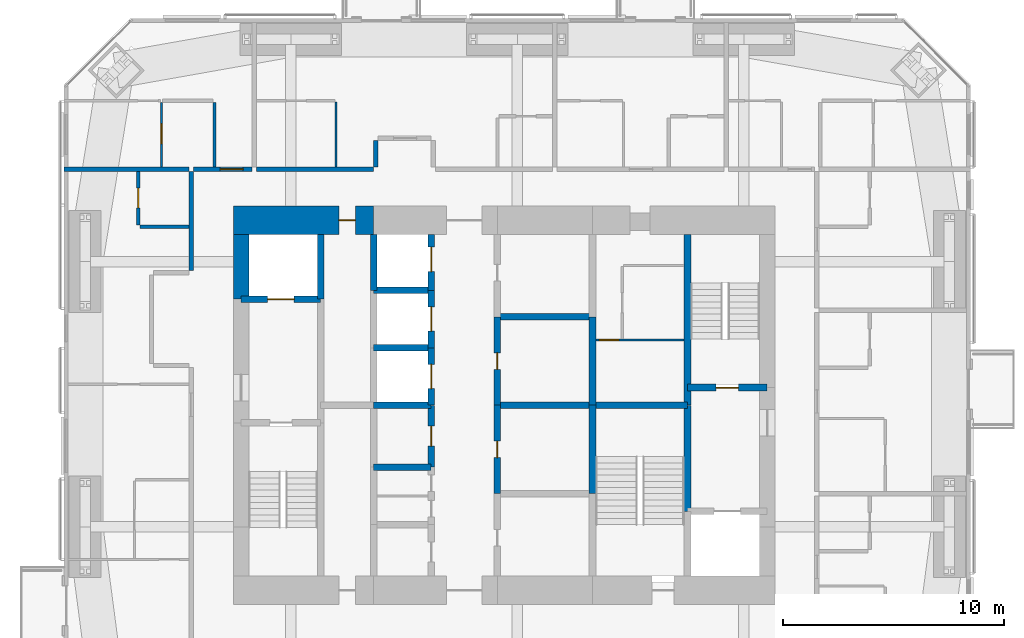
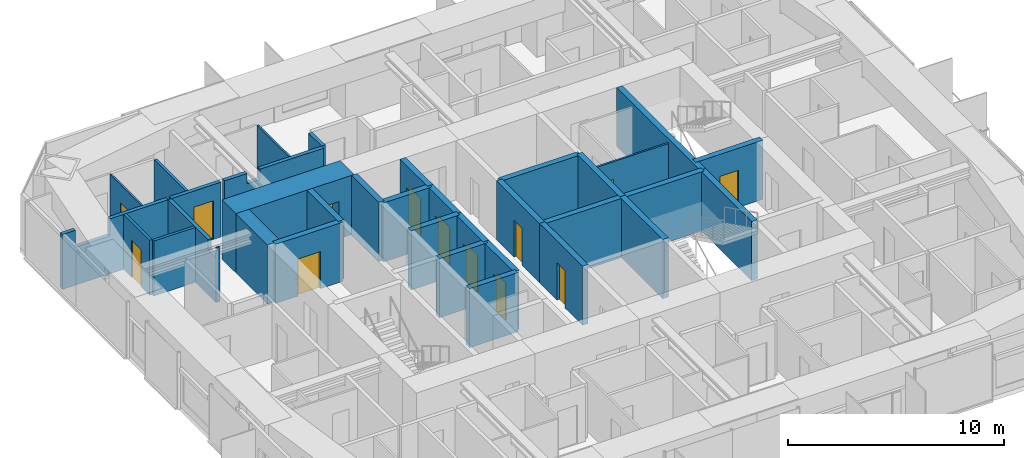
# One storey, part 18 of 23: 34 walls, 13 doors, 13 openings.
"""IFC4 building model written with IfcOpenShell, lengths in metres."""

from ifc_helpers import new_model, si_unit, direction, frame, frame_2d, origin, place, context, subcontext, project, spatial, polyline, rectangle, outline, extrude, material, layer, layer_set, constituent, constituent_set, type_object, element, fill, save


model = new_model("IFC4")

# Units and contexts
model_context = context("Model", 3, precision=1e-05, world=origin(), true_north=direction((0.0, 1.0)))
body_context = subcontext(model_context, "Body", "Model", "MODEL_VIEW")
ifc_project = project(units=[si_unit("LENGTHUNIT", "METRE"), si_unit("AREAUNIT", "SQUARE_METRE"), si_unit("VOLUMEUNIT", "CUBIC_METRE"), si_unit("PLANEANGLEUNIT", "RADIAN"), si_unit("MASSUNIT", "GRAM", prefix="KILO")], contexts=[model_context])

# Site, building, storey
site_placement = place(None, origin())
site = spatial("IfcSite", under=ifc_project, at=site_placement, CompositionType="ELEMENT")
building_placement = place(site_placement, origin())
building = spatial("IfcBuilding", under=site, at=building_placement, Name="Jalousie Tower", CompositionType="ELEMENT")
storey_placement = place(building_placement, frame((0.0, 0.0, 157.699951171875)))
storey = spatial("IfcBuildingStorey", under=building, at=storey_placement, Name="L42", CompositionType="ELEMENT", Elevation=157.699951171875)

# Wall
ifc_material_1 = material(Name="Concrete block ASTM C90", Category="concrete")
ifc_constituent_1 = constituent(ifc_material_1, Name="Body")
ifc_material_2 = material(Name="Render")
ifc_constituent_2 = constituent(ifc_material_2, Name="Finish")
ifc_constituent_set_1 = constituent_set(constituents=[ifc_constituent_1, ifc_constituent_2])
wall_type_1 = type_object("IfcWallType", Name="BATHROOM WALL 150", PredefinedType="PLUMBINGWALL", material=ifc_constituent_set_1)
wall_1_placement = place(storey_placement, frame((18.800048828125, 32.20361328125, 0.0), z_axis=(0.0, 0.0, 1.0), x_axis=(0.0, -1.0, 0.0)))
element("IfcWall", 1, at=wall_1_placement, inside=storey, type_object=wall_type_1, Name="Bathroom Wall 150 L42", PredefinedType="PLUMBINGWALL", context=body_context, shape_type="SweptSolid", body=[
    extrude(rectangle(XDim=2.9287109375, YDim=0.14990234375, at=frame_2d((1.46435546875, 0.0))), origin(), (0.0, 0.0, 1.0), 3.110107421875),
])

# Wall, opening, door
wall_2_placement = place(storey_placement, frame((15.35009765625, 26.64990234375, 0.0), z_axis=(0.0, 0.0, 1.0), x_axis=(0.0, 1.0, 0.0)))
wall_2 = element("IfcWall", 2, at=wall_2_placement, inside=storey, type_object=wall_type_1, Name="Bathroom Wall 150 L42", PredefinedType="PLUMBINGWALL", context=body_context, shape_type="SweptSolid", body=[
    extrude(rectangle(XDim=2.425048828125, YDim=0.14990234375, at=frame_2d((1.21240234375, 0.0))), origin(), (0.0, 0.0, 1.0), 3.110107421875),
])
opening_1_placement = place(wall_2_placement, frame((0.77490234375, 0.0, 0.0)))
opening_1 = element("IfcOpeningElement", 3, at=opening_1_placement, cuts=wall_2, Name="Opening D3", PredefinedType="OPENING", context=body_context, shape_type="SweptSolid", body=[
    extrude(rectangle(XDim=0.89990234375, YDim=2.10009765625, at=frame_2d((0.449951171875, 1.050048828125))), frame((0.0, 0.0849609375, 0.0), z_axis=(0.0, -1.0, 0.0), x_axis=(1.0, 0.0, 0.0)), (0.0, 0.0, 1.0), 0.169921875),
])
ifc_material_3 = material(Name="Timber door", Category="wood")
door_type_1 = type_object("IfcDoorType", Name="BATHROOM DOOR 900", OperationType="SINGLE_SWING_LEFT", PredefinedType="DOOR", material=ifc_material_3)
door_1_placement = place(opening_1_placement, frame((0.89990234375, 0.0, 0.0), z_axis=(0.0, 0.0, 1.0), x_axis=(-1.0, 0.0, 0.0)))
door_1 = element("IfcDoor", 4, at=door_1_placement, inside=storey, type_object=door_type_1, Name="Apartment 4209 bathroom door", OperationType="SINGLE_SWING_LEFT", OverallHeight=2.10009765625, OverallWidth=0.89990234375, PredefinedType="DOOR", context=body_context, shape_type="SweptSolid", body=[
    extrude(rectangle(XDim=0.89990234375, YDim=2.10009765625, at=frame_2d((0.449951171875, 1.050048828125))), frame((0.0, 0.02490234375, 0.0), z_axis=(0.0, -1.0, 0.0), x_axis=(1.0, 0.0, 0.0)), (0.0, 0.0, 1.0), 0.050048828125),
])
fill(opening_1, door_1)

# Wall
wall_3_placement = place(storey_placement, frame((15.425048828125, 26.574951171875, 0.0), z_axis=(0.0, 0.0, 1.0), x_axis=(1.0, 0.0, 0.0)))
element("IfcWall", 5, at=wall_3_placement, inside=storey, type_object=wall_type_1, Name="Bathroom Wall 150 L42", PredefinedType="PLUMBINGWALL", context=body_context, shape_type="SweptSolid", body=[
    extrude(rectangle(XDim=2.224853515625, YDim=0.14990234375, at=frame_2d((1.1123046875, 0.0))), origin(), (0.0, 0.0, 1.0), 3.110107421875),
])

# Wall, opening, door
ifc_material_4 = material(Name="Concrete f'c 120 MPa", Category="concrete")
ifc_layer_1 = layer(ifc_material_4, 1.300048828125)
ifc_layer_set_1 = layer_set([ifc_layer_1], Name="Concrete f'c 120 MPa")
wall_type_2 = type_object("IfcWallType", Name="CORE WALL 1300", PredefinedType="SHEAR", material=ifc_layer_set_1)
wall_4_placement = place(storey_placement, frame((26.0, 26.875, 0.0), z_axis=(0.0, 0.0, 1.0), x_axis=(-1.0, 0.0, 0.0)))
wall_4 = element("IfcWall", 6, at=wall_4_placement, inside=storey, type_object=wall_type_2, Name="Core wall ND L42", PredefinedType="SHEAR", context=body_context, shape_type="SweptSolid", body=[
    extrude(rectangle(XDim=6.35009765625, YDim=1.300048828125, at=frame_2d((3.175048828125, 0.0))), origin(), (0.0, 0.0, 1.0), 3.35009765625),
])
opening_2_placement = place(wall_4_placement, frame((0.824951171875, 0.0, 0.0)))
opening_2 = element("IfcOpeningElement", 7, at=opening_2_placement, cuts=wall_4, Name="Opening D16", PredefinedType="OPENING", context=body_context, shape_type="SweptSolid", body=[
    extrude(rectangle(XDim=0.75, YDim=2.10009765625, at=frame_2d((0.375, 1.050048828125))), frame((0.0, 0.659912109375, 0.0), z_axis=(0.0, -1.0, 0.0), x_axis=(1.0, 0.0, 0.0)), (0.0, 0.0, 1.0), 1.320068359375),
])
ifc_material_5 = material(Name="Steel fire door", Category="steel")
door_type_2 = type_object("IfcDoorType", Name="RISER DOOR 750", OperationType="SINGLE_SWING_LEFT", PredefinedType="DOOR", material=ifc_material_5)
door_2_placement = place(opening_2_placement, origin())
door_2 = element("IfcDoor", 8, at=door_2_placement, inside=storey, type_object=door_type_2, Name="North riser door", OperationType="SINGLE_SWING_RIGHT", OverallHeight=2.10009765625, OverallWidth=0.75, PredefinedType="DOOR", context=body_context, shape_type="SweptSolid", body=[
    extrude(rectangle(XDim=0.75, YDim=2.10009765625, at=frame_2d((0.375, 1.050048828125))), frame((0.0, 0.02490234375, 0.0), z_axis=(0.0, -1.0, 0.0), x_axis=(1.0, 0.0, 0.0)), (0.0, 0.0, 1.0), 0.050048828125),
])
fill(opening_2, door_2)

# Walls
ifc_material_6 = material(Name="Concrete f'c 120 MPa", Category="concrete")
ifc_layer_2 = layer(ifc_material_6, 0.300048828125)
ifc_layer_set_2 = layer_set([ifc_layer_2], Name="Concrete f'c 120 MPa")
wall_type_3 = type_object("IfcWallType", Name="CORE WALL 300", PredefinedType="SHEAR", material=ifc_layer_set_2)
wall_5_placement = place(storey_placement, frame((23.60009765625, 23.300048828125, 0.0), z_axis=(0.0, 0.0, 1.0), x_axis=(0.0, 1.0, 0.0)))
element("IfcWall", 9, at=wall_5_placement, inside=storey, type_object=wall_type_3, Name="Core wall X23.6C L42", PredefinedType="SHEAR", context=body_context, shape_type="SweptSolid", body=[
    extrude(rectangle(XDim=2.925048828125, YDim=0.300048828125, at=frame_2d((1.46240234375, 0.0))), origin(), (0.0, 0.0, 1.0), 3.35009765625),
])
wall_6_placement = place(storey_placement, frame((26.0, 23.699951171875, 0.0), z_axis=(0.0, 0.0, 1.0), x_axis=(0.0, 1.0, 0.0)))
element("IfcWall", 10, at=wall_6_placement, inside=storey, type_object=wall_type_3, Name="Core wall X26F L42", PredefinedType="SHEAR", context=body_context, shape_type="SweptSolid", body=[
    extrude(rectangle(XDim=2.525146484375, YDim=0.300048828125, at=frame_2d((1.2626953125, 0.0))), origin(), (0.0, 0.0, 1.0), 3.35009765625),
])

# Wall, opening, door
wall_7_placement = place(storey_placement, frame((28.60009765625, 15.699951171875, 0.0), z_axis=(0.0, 0.0, 1.0), x_axis=(0.0, 1.0, 0.0)))
wall_7 = element("IfcWall", 11, at=wall_7_placement, inside=storey, type_object=wall_type_3, Name="Core wall X28.6C L42", PredefinedType="SHEAR", context=body_context, shape_type="SweptSolid", body=[
    extrude(rectangle(XDim=2.800048828125, YDim=0.300048828125, at=frame_2d((1.39990234375, 0.0))), origin(), (0.0, 0.0, 1.0), 3.35009765625),
])
opening_3_placement = place(wall_7_placement, frame((0.949951171875, 0.0, 0.0)))
opening_3 = element("IfcOpeningElement", 12, at=opening_3_placement, cuts=wall_7, Name="Opening D24", PredefinedType="OPENING", context=body_context, shape_type="SweptSolid", body=[
    extrude(rectangle(XDim=0.89990234375, YDim=2.10009765625, at=frame_2d((0.449951171875, 1.050048828125))), frame((0.0, 0.159912109375, 0.0), z_axis=(0.0, -1.0, 0.0), x_axis=(1.0, 0.0, 0.0)), (0.0, 0.0, 1.0), 0.320068359375),
])
ifc_material_7 = material(Name="Steel fire door", Category="steel")
door_type_3 = type_object("IfcDoorType", Name="CORE ROOM DOOR 900", OperationType="SINGLE_SWING_LEFT", PredefinedType="DOOR", material=ifc_material_7)
door_3_placement = place(opening_3_placement, origin())
door_3 = element("IfcDoor", 13, at=door_3_placement, inside=storey, type_object=door_type_3, Name="IT room door", OperationType="SINGLE_SWING_LEFT", OverallHeight=2.10009765625, OverallWidth=0.89990234375, PredefinedType="DOOR", context=body_context, shape_type="SweptSolid", body=[
    extrude(rectangle(XDim=0.89990234375, YDim=2.10009765625, at=frame_2d((0.449951171875, 1.050048828125))), frame((0.0, 0.02490234375, 0.0), z_axis=(0.0, -1.0, 0.0), x_axis=(1.0, 0.0, 0.0)), (0.0, 0.0, 1.0), 0.050048828125),
])
fill(opening_3, door_3)

wall_8_placement = place(storey_placement, frame((28.60009765625, 18.5, 0.0), z_axis=(0.0, 0.0, 1.0), x_axis=(0.0, 1.0, 0.0)))
wall_8 = element("IfcWall", 14, at=wall_8_placement, inside=storey, type_object=wall_type_3, Name="Core wall X28.6D L42", PredefinedType="SHEAR", context=body_context, shape_type="SweptSolid", body=[
    extrude(rectangle(XDim=2.60009765625, YDim=0.300048828125, at=frame_2d((1.300048828125, 0.0))), origin(), (0.0, 0.0, 1.0), 3.35009765625),
])
opening_4_placement = place(wall_8_placement, frame((0.75, 0.0, 0.0)))
opening_4 = element("IfcOpeningElement", 15, at=opening_4_placement, cuts=wall_8, Name="Opening LD1", PredefinedType="OPENING", context=body_context, shape_type="SweptSolid", body=[
    extrude(rectangle(XDim=1.10009765625, YDim=2.10009765625, at=frame_2d((0.550048828125, 1.050048828125))), frame((0.0, 0.159912109375, 0.0), z_axis=(0.0, -1.0, 0.0), x_axis=(1.0, 0.0, 0.0)), (0.0, 0.0, 1.0), 0.320068359375),
])
ifc_material_8 = material(Name="Steel lift landing door", Category="steel")
door_type_4 = type_object("IfcDoorType", Name="LIFT LANDING DOOR 1100", OperationType="SLIDING_TO_LEFT", PredefinedType="DOOR", material=ifc_material_8)
door_4_placement = place(opening_4_placement, origin())
door_4 = element("IfcDoor", 16, at=door_4_placement, inside=storey, type_object=door_type_4, Name="Lift P4 landing door", OperationType="SLIDING_TO_LEFT", OverallHeight=2.10009765625, OverallWidth=1.10009765625, PredefinedType="DOOR", context=body_context, shape_type="SweptSolid", body=[
    extrude(rectangle(XDim=1.10009765625, YDim=2.10009765625, at=frame_2d((0.550048828125, 1.050048828125))), frame((0.0, 0.02490234375, 0.0), z_axis=(0.0, -1.0, 0.0), x_axis=(1.0, 0.0, 0.0)), (0.0, 0.0, 1.0), 0.050048828125),
])
fill(opening_4, door_4)

wall_9_placement = place(storey_placement, frame((28.60009765625, 21.10009765625, 0.0), z_axis=(0.0, 0.0, 1.0), x_axis=(0.0, 1.0, 0.0)))
wall_9 = element("IfcWall", 17, at=wall_9_placement, inside=storey, type_object=wall_type_3, Name="Core wall X28.6E L42", PredefinedType="SHEAR", context=body_context, shape_type="SweptSolid", body=[
    extrude(rectangle(XDim=2.599853515625, YDim=0.300048828125, at=frame_2d((1.2998046875, 0.0))), origin(), (0.0, 0.0, 1.0), 3.35009765625),
])
opening_5_placement = place(wall_9_placement, frame((0.75, 0.0, 0.0)))
opening_5 = element("IfcOpeningElement", 18, at=opening_5_placement, cuts=wall_9, Name="Opening LD1", PredefinedType="OPENING", context=body_context, shape_type="SweptSolid", body=[
    extrude(rectangle(XDim=1.10009765625, YDim=2.10009765625, at=frame_2d((0.550048828125, 1.050048828125))), frame((0.0, 0.159912109375, 0.0), z_axis=(0.0, -1.0, 0.0), x_axis=(1.0, 0.0, 0.0)), (0.0, 0.0, 1.0), 0.320068359375),
])
door_5_placement = place(opening_5_placement, origin())
door_5 = element("IfcDoor", 19, at=door_5_placement, inside=storey, type_object=door_type_4, Name="Lift P5 landing door", OperationType="SLIDING_TO_LEFT", OverallHeight=2.10009765625, OverallWidth=1.10009765625, PredefinedType="DOOR", context=body_context, shape_type="SweptSolid", body=[
    extrude(rectangle(XDim=1.10009765625, YDim=2.10009765625, at=frame_2d((0.550048828125, 1.050048828125))), frame((0.0, 0.02490234375, 0.0), z_axis=(0.0, -1.0, 0.0), x_axis=(1.0, 0.0, 0.0)), (0.0, 0.0, 1.0), 0.050048828125),
])
fill(opening_5, door_5)

wall_10_placement = place(storey_placement, frame((28.60009765625, 23.699951171875, 0.0), z_axis=(0.0, 0.0, 1.0), x_axis=(0.0, 1.0, 0.0)))
wall_10 = element("IfcWall", 20, at=wall_10_placement, inside=storey, type_object=wall_type_3, Name="Core wall X28.6F L42", PredefinedType="SHEAR", context=body_context, shape_type="SweptSolid", body=[
    extrude(rectangle(XDim=2.525146484375, YDim=0.300048828125, at=frame_2d((1.2626953125, 0.0))), origin(), (0.0, 0.0, 1.0), 3.35009765625),
])
opening_6_placement = place(wall_10_placement, frame((0.85009765625, 0.0, 0.0)))
opening_6 = element("IfcOpeningElement", 21, at=opening_6_placement, cuts=wall_10, Name="Opening LD1", PredefinedType="OPENING", context=body_context, shape_type="SweptSolid", body=[
    extrude(rectangle(XDim=1.10009765625, YDim=2.10009765625, at=frame_2d((0.550048828125, 1.050048828125))), frame((0.0, 0.159912109375, 0.0), z_axis=(0.0, -1.0, 0.0), x_axis=(1.0, 0.0, 0.0)), (0.0, 0.0, 1.0), 0.320068359375),
])
door_6_placement = place(opening_6_placement, origin())
door_6 = element("IfcDoor", 22, at=door_6_placement, inside=storey, type_object=door_type_4, Name="Lift P6 landing door", OperationType="SLIDING_TO_LEFT", OverallHeight=2.10009765625, OverallWidth=1.10009765625, PredefinedType="DOOR", context=body_context, shape_type="SweptSolid", body=[
    extrude(rectangle(XDim=1.10009765625, YDim=2.10009765625, at=frame_2d((0.550048828125, 1.050048828125))), frame((0.0, 0.02490234375, 0.0), z_axis=(0.0, -1.0, 0.0), x_axis=(1.0, 0.0, 0.0)), (0.0, 0.0, 1.0), 0.050048828125),
])
fill(opening_6, door_6)

wall_11_placement = place(storey_placement, frame((31.60009765625, 14.5, 0.0), z_axis=(0.0, 0.0, 1.0), x_axis=(0.0, 1.0, 0.0)))
wall_11 = element("IfcWall", 23, at=wall_11_placement, inside=storey, type_object=wall_type_3, Name="Core wall X31.6B L42", PredefinedType="SHEAR", context=body_context, shape_type="SweptSolid", body=[
    extrude(rectangle(XDim=4.0, YDim=0.300048828125, at=frame_2d((2.0, 0.0))), origin(), (0.0, 0.0, 1.0), 3.35009765625),
])
opening_7_placement = place(wall_11_placement, frame((1.625, 0.0, 0.0)))
opening_7 = element("IfcOpeningElement", 24, at=opening_7_placement, cuts=wall_11, Name="Opening D16", PredefinedType="OPENING", context=body_context, shape_type="SweptSolid", body=[
    extrude(rectangle(XDim=0.75, YDim=2.10009765625, at=frame_2d((0.375, 1.050048828125))), frame((0.0, 0.159912109375, 0.0), z_axis=(0.0, -1.0, 0.0), x_axis=(1.0, 0.0, 0.0)), (0.0, 0.0, 1.0), 0.320068359375),
])
door_7_placement = place(opening_7_placement, frame((0.75, 0.0, 0.0), z_axis=(0.0, 0.0, 1.0), x_axis=(-1.0, 0.0, 0.0)))
door_7 = element("IfcDoor", 25, at=door_7_placement, inside=storey, type_object=door_type_2, Name="Electrical Room door", OperationType="SINGLE_SWING_RIGHT", OverallHeight=2.10009765625, OverallWidth=0.75, PredefinedType="DOOR", context=body_context, shape_type="SweptSolid", body=[
    extrude(rectangle(XDim=0.75, YDim=2.10009765625, at=frame_2d((0.375, 1.050048828125))), frame((0.0, 0.02490234375, 0.0), z_axis=(0.0, -1.0, 0.0), x_axis=(1.0, 0.0, 0.0)), (0.0, 0.0, 1.0), 0.050048828125),
])
fill(opening_7, door_7)

wall_12_placement = place(storey_placement, frame((31.60009765625, 18.5, 0.0), z_axis=(0.0, 0.0, 1.0), x_axis=(0.0, 1.0, 0.0)))
wall_12 = element("IfcWall", 26, at=wall_12_placement, inside=storey, type_object=wall_type_3, Name="Core wall X31.6C L42", PredefinedType="SHEAR", context=body_context, shape_type="SweptSolid", body=[
    extrude(rectangle(XDim=4.0, YDim=0.300048828125, at=frame_2d((2.0, 0.0))), origin(), (0.0, 0.0, 1.0), 3.35009765625),
])
opening_8_placement = place(wall_12_placement, frame((1.625, 0.0, 0.0)))
opening_8 = element("IfcOpeningElement", 27, at=opening_8_placement, cuts=wall_12, Name="Opening D16", PredefinedType="OPENING", context=body_context, shape_type="SweptSolid", body=[
    extrude(rectangle(XDim=0.75, YDim=2.10009765625, at=frame_2d((0.375, 1.050048828125))), frame((0.0, 0.159912109375, 0.0), z_axis=(0.0, -1.0, 0.0), x_axis=(1.0, 0.0, 0.0)), (0.0, 0.0, 1.0), 0.320068359375),
])
door_8_placement = place(opening_8_placement, frame((0.75, 0.0, 0.0), z_axis=(0.0, 0.0, 1.0), x_axis=(-1.0, 0.0, 0.0)))
door_8 = element("IfcDoor", 28, at=door_8_placement, inside=storey, type_object=door_type_2, Name="Telecom Room door", OperationType="SINGLE_SWING_RIGHT", OverallHeight=2.10009765625, OverallWidth=0.75, PredefinedType="DOOR", context=body_context, shape_type="SweptSolid", body=[
    extrude(rectangle(XDim=0.75, YDim=2.10009765625, at=frame_2d((0.375, 1.050048828125))), frame((0.0, 0.02490234375, 0.0), z_axis=(0.0, -1.0, 0.0), x_axis=(1.0, 0.0, 0.0)), (0.0, 0.0, 1.0), 0.050048828125),
])
fill(opening_8, door_8)

# Walls
for number, where, z_axis, x_axis, name in (
    (29, (35.89990234375, 14.5, 0.0), (0.0, 0.0, 1.0), (0.0, 1.0, 0.0), "Core wall X35.9B L42"),
    (30, (35.89990234375, 18.5, 0.0), (0.0, 0.0, 1.0), (0.0, 1.0, 0.0), "Core wall X35.9C L42"),
):
    element("IfcWall", number, at=place(storey_placement, frame(where, z_axis=z_axis, x_axis=x_axis)), inside=storey, type_object=wall_type_3, Name=name, PredefinedType="SHEAR", context=body_context, shape_type="SweptSolid", body=[
        extrude(rectangle(XDim=4.0, YDim=0.300048828125, at=frame_2d((2.0, 0.0))), origin(), (0.0, 0.0, 1.0), 3.35009765625),
    ])
wall_13_placement = place(storey_placement, frame((40.199951171875, 13.699951171875, 0.0), z_axis=(0.0, 0.0, 1.0), x_axis=(0.0, 1.0, 0.0)))
element("IfcWall", 31, at=wall_13_placement, inside=storey, type_object=wall_type_3, Name="Core wall X40.2B L42", PredefinedType="SHEAR", context=body_context, shape_type="SweptSolid", body=[
    extrude(rectangle(XDim=4.800048828125, YDim=0.300048828125, at=frame_2d((2.39990234375, 0.0))), origin(), (0.0, 0.0, 1.0), 3.35009765625),
])
wall_14_placement = place(storey_placement, frame((40.199951171875, 18.5, 0.0), z_axis=(0.0, 0.0, 1.0), x_axis=(0.0, 1.0, 0.0)))
element("IfcWall", 32, at=wall_14_placement, inside=storey, type_object=wall_type_3, Name="Core wall X40.2C L42", PredefinedType="SHEAR", context=body_context, shape_type="SweptSolid", body=[
    extrude(rectangle(XDim=7.72509765625, YDim=0.300048828125, at=frame_2d((3.862548828125, 0.0))), origin(), (0.0, 0.0, 1.0), 3.35009765625),
])

# Wall, opening, door
wall_15_placement = place(storey_placement, frame((20.0, 23.300048828125, 0.0), z_axis=(0.0, 0.0, 1.0), x_axis=(1.0, 0.0, 0.0)))
wall_15 = element("IfcWall", 33, at=wall_15_placement, inside=storey, type_object=wall_type_3, Name="Core wall Y20-23.3 L42", PredefinedType="SHEAR", context=body_context, shape_type="SweptSolid", body=[
    extrude(rectangle(XDim=3.60009765625, YDim=0.300048828125, at=frame_2d((1.800048828125, 0.0))), origin(), (0.0, 0.0, 1.0), 3.35009765625),
])
opening_9_placement = place(wall_15_placement, frame((1.199951171875, 0.0, 0.0)))
opening_9 = element("IfcOpeningElement", 34, at=opening_9_placement, cuts=wall_15, Name="Opening LD2", PredefinedType="OPENING", context=body_context, shape_type="SweptSolid", body=[
    extrude(rectangle(XDim=1.199951171875, YDim=2.10009765625, at=frame_2d((0.60009765625, 1.050048828125))), frame((0.0, 0.159912109375, 0.0), z_axis=(0.0, -1.0, 0.0), x_axis=(1.0, 0.0, 0.0)), (0.0, 0.0, 1.0), 0.320068359375),
])
ifc_material_9 = material(Name="Steel lift landing door", Category="steel")
door_type_5 = type_object("IfcDoorType", Name="LIFT LANDING DOOR 1200", OperationType="SLIDING_TO_LEFT", PredefinedType="DOOR", material=ifc_material_9)
door_9_placement = place(opening_9_placement, origin())
door_9 = element("IfcDoor", 35, at=door_9_placement, inside=storey, type_object=door_type_5, Name="Lift F1 landing door", OperationType="SLIDING_TO_LEFT", OverallHeight=2.10009765625, OverallWidth=1.199951171875, PredefinedType="DOOR", context=body_context, shape_type="SweptSolid", body=[
    extrude(rectangle(XDim=1.199951171875, YDim=2.10009765625, at=frame_2d((0.60009765625, 1.050048828125))), frame((0.0, 0.02490234375, 0.0), z_axis=(0.0, -1.0, 0.0), x_axis=(1.0, 0.0, 0.0)), (0.0, 0.0, 1.0), 0.050048828125),
])
fill(opening_9, door_9)

# Walls
for number, where, z_axis, x_axis, name in (
    (36, (26.0, 15.699951171875, 0.0), (0.0, 0.0, 1.0), (1.0, 0.0, 0.0), "Core wall Y26-15.7 L42"),
    (37, (26.0, 18.5, 0.0), (0.0, 0.0, 1.0), (1.0, 0.0, 0.0), "Core wall Y26-18.5 L42"),
    (38, (26.0, 21.10009765625, 0.0), (0.0, 0.0, 1.0), (1.0, 0.0, 0.0), "Core wall Y26-21.1 L42"),
    (39, (26.0, 23.699951171875, 0.0), (0.0, 0.0, 1.0), (1.0, 0.0, 0.0), "Core wall Y26-23.7 L42"),
):
    element("IfcWall", number, at=place(storey_placement, frame(where, z_axis=z_axis, x_axis=x_axis)), inside=storey, type_object=wall_type_3, Name=name, PredefinedType="SHEAR", context=body_context, shape_type="SweptSolid", body=[
        extrude(rectangle(XDim=2.60009765625, YDim=0.300048828125, at=frame_2d((1.300048828125, 0.0))), origin(), (0.0, 0.0, 1.0), 3.35009765625),
    ])
for number, where, z_axis, x_axis, name in (
    (40, (31.60009765625, 18.5, 0.0), (0.0, 0.0, 1.0), (1.0, 0.0, 0.0), "Core wall Y31.6-18.5 L42"),
    (41, (31.60009765625, 22.5, 0.0), (0.0, 0.0, 1.0), (1.0, 0.0, 0.0), "Core wall Y31.6-22.5 L42"),
):
    element("IfcWall", number, at=place(storey_placement, frame(where, z_axis=z_axis, x_axis=x_axis)), inside=storey, type_object=wall_type_3, Name=name, PredefinedType="SHEAR", context=body_context, shape_type="SweptSolid", body=[
        extrude(rectangle(XDim=4.2998046875, YDim=0.300048828125, at=frame_2d((2.14990234375, 0.0))), origin(), (0.0, 0.0, 1.0), 3.35009765625),
    ])
wall_16_placement = place(storey_placement, frame((35.89990234375, 18.5, 0.0), z_axis=(0.0, 0.0, 1.0), x_axis=(1.0, 0.0, 0.0)))
element("IfcWall", 42, at=wall_16_placement, inside=storey, type_object=wall_type_3, Name="Core wall Y35.9-18.5 L42", PredefinedType="SHEAR", context=body_context, shape_type="SweptSolid", body=[
    extrude(rectangle(XDim=4.300048828125, YDim=0.300048828125, at=frame_2d((2.14990234375, 0.0))), origin(), (0.0, 0.0, 1.0), 3.35009765625),
])

# Wall, opening, door
wall_17_placement = place(storey_placement, frame((40.199951171875, 19.300048828125, 0.0), z_axis=(0.0, 0.0, 1.0), x_axis=(1.0, 0.0, 0.0)))
wall_17 = element("IfcWall", 43, at=wall_17_placement, inside=storey, type_object=wall_type_3, Name="Core wall Y40.2-19.3 L42", PredefinedType="SHEAR", context=body_context, shape_type="SweptSolid", body=[
    extrude(rectangle(XDim=3.60009765625, YDim=0.300048828125, at=frame_2d((1.800048828125, 0.0))), origin(), (0.0, 0.0, 1.0), 3.35009765625),
])
opening_10_placement = place(wall_17_placement, frame((1.300048828125, 0.0, 0.0)))
opening_10 = element("IfcOpeningElement", 44, at=opening_10_placement, cuts=wall_17, Name="Opening D10", PredefinedType="OPENING", context=body_context, shape_type="SweptSolid", body=[
    extrude(rectangle(XDim=1.0, YDim=2.10009765625, at=frame_2d((0.5, 1.050048828125))), frame((0.0, 0.159912109375, 0.0), z_axis=(0.0, -1.0, 0.0), x_axis=(1.0, 0.0, 0.0)), (0.0, 0.0, 1.0), 0.320068359375),
])
ifc_material_10 = material(Name="Steel fire door", Category="steel")
door_type_6 = type_object("IfcDoorType", Name="STAIR DOOR 1000", OperationType="SINGLE_SWING_LEFT", PredefinedType="DOOR", material=ifc_material_10)
door_10_placement = place(opening_10_placement, origin())
door_10 = element("IfcDoor", 45, at=door_10_placement, inside=storey, type_object=door_type_6, Name="Exit stair B door", OperationType="SINGLE_SWING_RIGHT", OverallHeight=2.10009765625, OverallWidth=1.0, PredefinedType="DOOR", context=body_context, shape_type="SweptSolid", body=[
    extrude(rectangle(XDim=1.0, YDim=2.10009765625, at=frame_2d((0.5, 1.050048828125))), frame((0.0, 0.02490234375, 0.0), z_axis=(0.0, -1.0, 0.0), x_axis=(1.0, 0.0, 0.0)), (0.0, 0.0, 1.0), 0.050048828125),
])
fill(opening_10, door_10)

# Wall
ifc_material_11 = material(Name="Concrete f'c 120 MPa", Category="concrete")
ifc_layer_3 = layer(ifc_material_11, 0.699951171875)
ifc_layer_set_3 = layer_set([ifc_layer_3], Name="Concrete f'c 120 MPa")
wall_type_4 = type_object("IfcWallType", Name="CORE WALL 700", PredefinedType="SHEAR", material=ifc_layer_set_3)
wall_18_placement = place(storey_placement, frame((20.0, 26.22509765625, 0.0), z_axis=(0.0, 0.0, 1.0), x_axis=(0.0, -1.0, 0.0)))
element("IfcWall", 46, at=wall_18_placement, inside=storey, type_object=wall_type_4, Name="Core wall WA L42", PredefinedType="SHEAR", context=body_context, shape_type="SweptSolid", body=[
    extrude(rectangle(XDim=2.925048828125, YDim=0.699951171875, at=frame_2d((1.46240234375, 0.0))), origin(), (0.0, 0.0, 1.0), 3.35009765625),
])

# Wall, opening, door
ifc_material_12 = material(Name="Concrete block ASTM C90", Category="concrete")
ifc_constituent_3 = constituent(ifc_material_12, Name="Body")
ifc_material_13 = material(Name="Render")
ifc_constituent_4 = constituent(ifc_material_13, Name="Finish")
ifc_constituent_set_2 = constituent_set(constituents=[ifc_constituent_3, ifc_constituent_4])
wall_type_5 = type_object("IfcWallType", Name="CORRIDOR WALL 200", PredefinedType="PARTITIONING", material=ifc_constituent_set_2)
wall_19_placement = place(storey_placement, frame((17.85009765625, 29.175048828125, 0.0), z_axis=(0.0, 0.0, 1.0), x_axis=(1.0, 0.0, 0.0)))
wall_19 = element("IfcWall", 47, at=wall_19_placement, inside=storey, type_object=wall_type_5, Name="Corridor Wall 200 L42", PredefinedType="PARTITIONING", context=body_context, shape_type="SweptSolid", body=[
    extrude(rectangle(XDim=2.64990234375, YDim=0.199951171875, at=frame_2d((1.324951171875, 0.0))), origin(), (0.0, 0.0, 1.0), 3.110107421875),
])
opening_11_placement = place(wall_19_placement, frame((1.199951171875, 0.0, 0.0)))
opening_11 = element("IfcOpeningElement", 48, at=opening_11_placement, cuts=wall_19, Name="Opening D1", PredefinedType="OPENING", context=body_context, shape_type="SweptSolid", body=[
    extrude(rectangle(XDim=1.050048828125, YDim=2.199951171875, at=frame_2d((0.52490234375, 1.10009765625))), frame((0.0, 0.10986328125, 0.0), z_axis=(0.0, -1.0, 0.0), x_axis=(1.0, 0.0, 0.0)), (0.0, 0.0, 1.0), 0.219970703125),
])
ifc_material_14 = material(Name="Timber fire door", Category="wood")
door_type_7 = type_object("IfcDoorType", Name="APARTMENT ENTRANCE DOOR 1050", OperationType="SINGLE_SWING_LEFT", PredefinedType="DOOR", material=ifc_material_14)
door_11_placement = place(opening_11_placement, origin())
door_11 = element("IfcDoor", 49, at=door_11_placement, inside=storey, type_object=door_type_7, Name="Apartment 4205 entrance", OperationType="SINGLE_SWING_LEFT", OverallHeight=2.199951171875, OverallWidth=1.050048828125, PredefinedType="DOOR", context=body_context, shape_type="SweptSolid", body=[
    extrude(rectangle(XDim=1.050048828125, YDim=2.199951171875, at=frame_2d((0.52490234375, 1.10009765625))), frame((0.0, 0.02490234375, 0.0), z_axis=(0.0, -1.0, 0.0), x_axis=(1.0, 0.0, 0.0)), (0.0, 0.0, 1.0), 0.050048828125),
])
fill(opening_11, door_11)

# Walls
wall_20_placement = place(storey_placement, frame((20.699951171875, 29.175048828125, 0.0), z_axis=(0.0, 0.0, 1.0), x_axis=(1.0, 0.0, 0.0)))
element("IfcWall", 50, at=wall_20_placement, inside=storey, type_object=wall_type_5, Name="Corridor Wall 200 L42", PredefinedType="PARTITIONING", context=body_context, shape_type="SweptSolid", body=[
    extrude(outline(polyline([(0.0, 0.0), (5.300048828125, 0.0), (5.300048828125, 3.110107421875), (1.896240234375, 3.110107421875), (1.896240234375, 2.531005859375), (1.203857421875, 2.531005859375), (1.203857421875, 3.110107421875), (0.0, 3.110107421875), (0.0, 0.0)])), frame((0.0, 0.10009765625, 0.0), z_axis=(0.0, -1.0, 0.0), x_axis=(1.0, 0.0, 0.0)), (0.0, 0.0, 1.0), 0.199951171875),
])
wall_21_placement = place(storey_placement, frame((26.10009765625, 29.27490234375, 0.0), z_axis=(0.0, 0.0, 1.0), x_axis=(0.0, 1.0, 0.0)))
element("IfcWall", 51, at=wall_21_placement, inside=storey, type_object=wall_type_5, Name="Corridor Wall 200 L42", PredefinedType="PARTITIONING", context=body_context, shape_type="SweptSolid", body=[
    extrude(rectangle(XDim=1.2001953125, YDim=0.199951171875, at=frame_2d((0.60009765625, 0.0))), origin(), (0.0, 0.0, 1.0), 3.110107421875),
])
wall_22_placement = place(storey_placement, frame((17.75, 24.60009765625, 0.0), z_axis=(0.0, 0.0, 1.0), x_axis=(0.0, 1.0, 0.0)))
element("IfcWall", 52, at=wall_22_placement, inside=storey, type_object=wall_type_5, Name="Corridor Wall 200 L42", PredefinedType="PARTITIONING", context=body_context, shape_type="SweptSolid", body=[
    extrude(outline(polyline([(0.0, 0.0), (4.474853515625, 0.0), (4.47509765625, 3.110107421875), (0.74609375, 3.110107421875), (0.74609375, 2.531005859375), (0.0537109375, 2.531005859375), (0.0537109375, 3.110107421875), (0.0, 3.110107421875), (0.0, 0.0)])), frame((0.0, 0.10009765625, 0.0), z_axis=(0.0, -1.0, 0.0), x_axis=(1.0, 0.0, 0.0)), (0.0, 0.0, 1.0), 0.199951171875),
])

# Wall, opening, door
ifc_material_15 = material(Name="Gypsum board", Category="gypsum")
ifc_constituent_5 = constituent(ifc_material_15, Name="Body")
ifc_material_16 = material(Name="Light-gauge steel studs ASTM A653 SS Grade 33", Category="steel")
ifc_constituent_6 = constituent(ifc_material_16, Name="Framing")
ifc_constituent_set_3 = constituent_set(constituents=[ifc_constituent_5, ifc_constituent_6])
wall_type_6 = type_object("IfcWallType", Name="PARTITION 100", PredefinedType="PARTITIONING", material=ifc_constituent_set_3)
wall_23_placement = place(storey_placement, frame((16.39990234375, 32.20361328125, 0.0), z_axis=(0.0, 0.0, 1.0), x_axis=(0.0, -1.0, 0.0)))
wall_23 = element("IfcWall", 53, at=wall_23_placement, inside=storey, type_object=wall_type_6, Name="Partition 100 L42", PredefinedType="PARTITIONING", context=body_context, shape_type="SweptSolid", body=[
    extrude(rectangle(XDim=2.9287109375, YDim=0.10009765625, at=frame_2d((1.46435546875, 0.0))), origin(), (0.0, 0.0, 1.0), 3.110107421875),
])
opening_12_placement = place(wall_23_placement, frame((0.976806640625, 0.0, 0.0)))
opening_12 = element("IfcOpeningElement", 54, at=opening_12_placement, cuts=wall_23, Name="Opening D3", PredefinedType="OPENING", context=body_context, shape_type="SweptSolid", body=[
    extrude(rectangle(XDim=0.89990234375, YDim=2.10009765625, at=frame_2d((0.449951171875, 1.050048828125))), frame((0.0, 0.06005859375, 0.0), z_axis=(0.0, -1.0, 0.0), x_axis=(1.0, 0.0, 0.0)), (0.0, 0.0, 1.0), 0.1201171875),
])
door_12_placement = place(opening_12_placement, origin())
door_12 = element("IfcDoor", 55, at=door_12_placement, inside=storey, type_object=door_type_1, Name="Apartment 4205 bedroom 1 bathroom door", OperationType="SINGLE_SWING_LEFT", OverallHeight=2.10009765625, OverallWidth=0.89990234375, PredefinedType="DOOR", context=body_context, shape_type="SweptSolid", body=[
    extrude(rectangle(XDim=0.89990234375, YDim=2.10009765625, at=frame_2d((0.449951171875, 1.050048828125))), frame((0.0, 0.02490234375, 0.0), z_axis=(0.0, -1.0, 0.0), x_axis=(1.0, 0.0, 0.0)), (0.0, 0.0, 1.0), 0.050048828125),
])
fill(opening_12, door_12)

# Wall
wall_24_placement = place(storey_placement, frame((24.300048828125, 32.22509765625, 0.0), z_axis=(0.0, 0.0, 1.0), x_axis=(0.0, -1.0, 0.0)))
element("IfcWall", 56, at=wall_24_placement, inside=storey, type_object=wall_type_6, Name="Partition 100 L42", PredefinedType="PARTITIONING", context=body_context, shape_type="SweptSolid", body=[
    extrude(rectangle(XDim=2.9501953125, YDim=0.10009765625, at=frame_2d((1.47509765625, 0.0))), origin(), (0.0, 0.0, 1.0), 3.110107421875),
])

# Wall, opening, door
wall_25_placement = place(storey_placement, frame((36.050048828125, 21.449951171875, 0.0), z_axis=(0.0, 0.0, 1.0), x_axis=(1.0, 0.0, 0.0)))
wall_25 = element("IfcWall", 57, at=wall_25_placement, inside=storey, type_object=wall_type_6, Name="Partition 100 L42", PredefinedType="PARTITIONING", context=body_context, shape_type="SweptSolid", body=[
    extrude(rectangle(XDim=4.0, YDim=0.10009765625, at=frame_2d((2.0, 0.0))), origin(), (0.0, 0.0, 1.0), 3.110107421875),
])
opening_13_placement = place(wall_25_placement, frame((0.14990234375, 0.0, 0.0)))
opening_13 = element("IfcOpeningElement", 58, at=opening_13_placement, cuts=wall_25, Name="Opening D7", PredefinedType="OPENING", context=body_context, shape_type="SweptSolid", body=[
    extrude(rectangle(XDim=0.89990234375, YDim=2.10009765625, at=frame_2d((0.449951171875, 1.050048828125))), frame((0.0, 0.06005859375, 0.0), z_axis=(0.0, -1.0, 0.0), x_axis=(1.0, 0.0, 0.0)), (0.0, 0.0, 1.0), 0.1201171875),
])
ifc_material_17 = material(Name="Timber door", Category="wood")
door_type_8 = type_object("IfcDoorType", Name="INTERNAL DOOR 900", OperationType="SINGLE_SWING_LEFT", PredefinedType="DOOR", material=ifc_material_17)
door_13_placement = place(opening_13_placement, frame((0.89990234375, 0.0, 0.0), z_axis=(0.0, 0.0, 1.0), x_axis=(-1.0, 0.0, 0.0)))
door_13 = element("IfcDoor", 59, at=door_13_placement, inside=storey, type_object=door_type_8, Name="Linen store door", OperationType="SINGLE_SWING_RIGHT", OverallHeight=2.10009765625, OverallWidth=0.89990234375, PredefinedType="DOOR", context=body_context, shape_type="SweptSolid", body=[
    extrude(rectangle(XDim=0.89990234375, YDim=2.10009765625, at=frame_2d((0.449951171875, 1.050048828125))), frame((0.0, 0.02490234375, 0.0), z_axis=(0.0, -1.0, 0.0), x_axis=(1.0, 0.0, 0.0)), (0.0, 0.0, 1.0), 0.050048828125),
])
fill(opening_13, door_13)

# Wall
ifc_material_18 = material(Name="Concrete block ASTM C90", Category="concrete")
ifc_constituent_7 = constituent(ifc_material_18, Name="Body")
ifc_material_19 = material(Name="Render")
ifc_constituent_8 = constituent(ifc_material_19, Name="Finish")
ifc_constituent_set_4 = constituent_set(constituents=[ifc_constituent_7, ifc_constituent_8])
wall_type_7 = type_object("IfcWallType", Name="PARTY WALL 200", PredefinedType="PARTITIONING", material=ifc_constituent_set_4)
wall_26_placement = place(storey_placement, frame((12.0, 29.175048828125, 0.0), z_axis=(0.0, 0.0, 1.0), x_axis=(1.0, 0.0, 0.0)))
element("IfcWall", 60, at=wall_26_placement, inside=storey, type_object=wall_type_7, Name="Party Wall 200 L42", PredefinedType="PARTITIONING", context=body_context, shape_type="SweptSolid", body=[
    extrude(outline(polyline([(0.0, 0.0), (5.64990234375, 0.0), (5.64990234375, 3.110107421875), (2.546630859375, 3.110107421875), (2.546630859375, 2.150146484375), (0.703125, 2.150146484375), (0.703125, 3.110107421875), (0.0, 3.110107421875), (0.0, 0.0)])), frame((0.0, 0.10009765625, 0.0), z_axis=(0.0, -1.0, 0.0), x_axis=(1.0, 0.0, 0.0)), (0.0, 0.0, 1.0), 0.199951171875),
])

save(model, "model.ifc")
